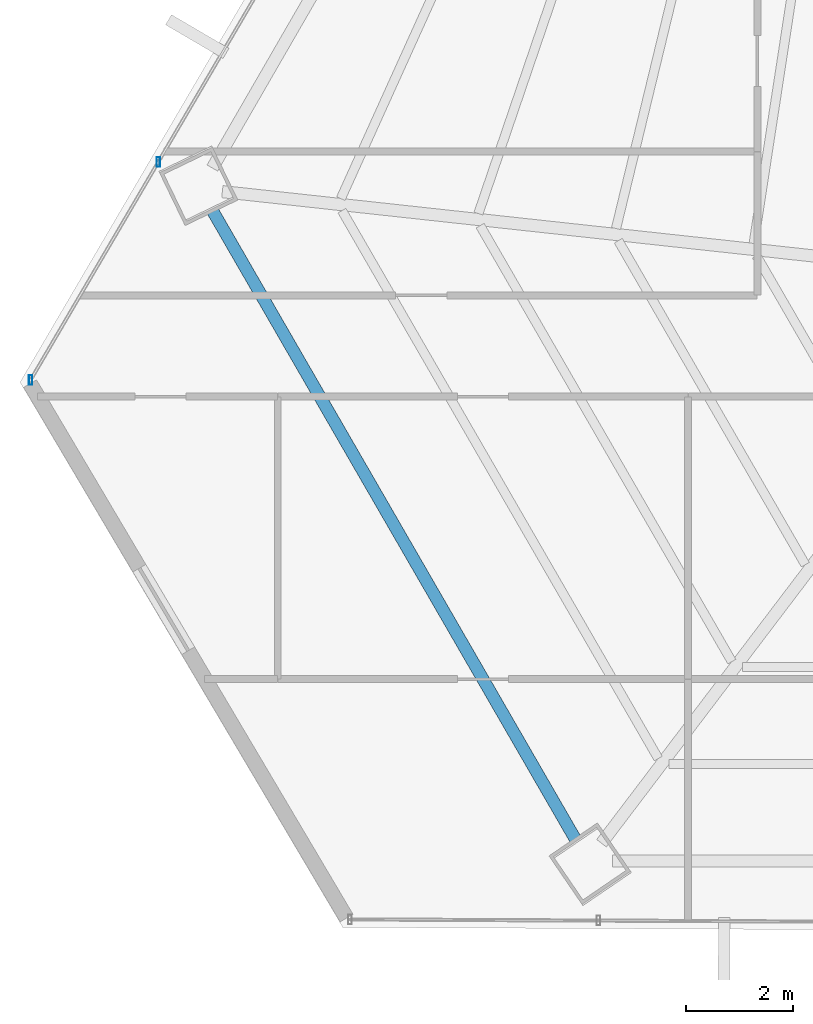
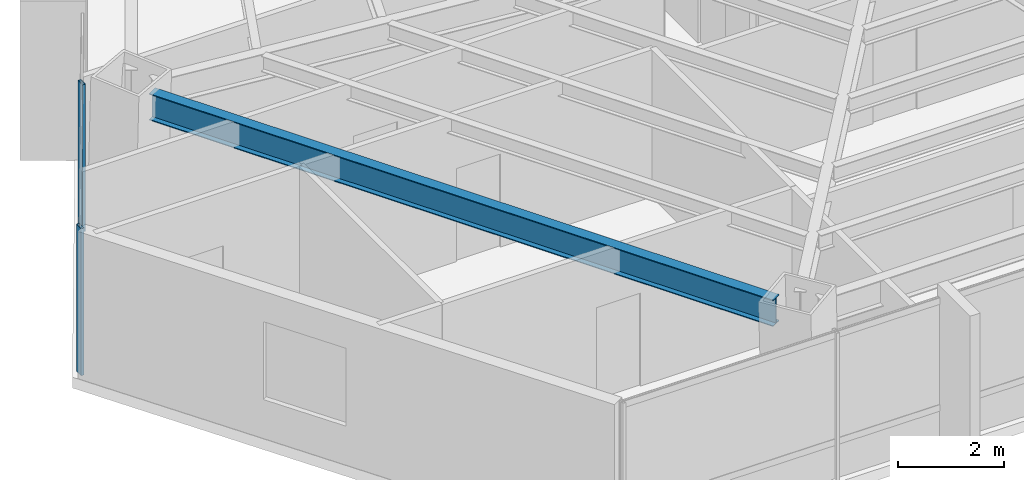
# One storey, part 6 of 35: 2 members, 1 beam, 1 element without a shape of its own.
"""IFC4 building model written with IfcOpenShell, lengths in metres."""

from ifc_helpers import new_model, si_unit, direction, frame, origin, origin_2d, place, context, subcontext, project, spatial, hollow_rectangle, i_section, extrude, source, transform, mapped, material, material_profile, profile_set, type_object, type_shapes, element, aggregate, save


model = new_model("IFC4")

# Units and contexts
model_context = context("Model", 3, precision=1e-05, world=origin(), true_north=direction((0.0, 1.0)))
body_context = subcontext(model_context, "Body", "Model", "MODEL_VIEW")
ifc_project = project(units=[si_unit("LENGTHUNIT", "METRE"), si_unit("AREAUNIT", "SQUARE_METRE"), si_unit("VOLUMEUNIT", "CUBIC_METRE"), si_unit("PLANEANGLEUNIT", "RADIAN"), si_unit("MASSUNIT", "GRAM", prefix="KILO")], contexts=[model_context])

# Site, building, storey
site_placement = place(None, origin())
site = spatial("IfcSite", under=ifc_project, at=site_placement, CompositionType="ELEMENT")
building_placement = place(site_placement, origin())
building = spatial("IfcBuilding", under=site, at=building_placement, Name="Caelisora Broadcast Tower", CompositionType="ELEMENT")
storey_placement = place(building_placement, frame((0.0, 0.0, 109.050048828125)))
storey = spatial("IfcBuildingStorey", under=building, at=storey_placement, Name="L28", CompositionType="ELEMENT", Elevation=109.050048828125)

# Beam
ifc_material_1 = material(Name="Steel Grade 350 (AS/NZS 3679.1)", Category="steel")
ifc_material_profile_1 = material_profile(ifc_material_1, i_section(OverallWidth=0.22900390625, OverallDepth=0.611572265625, WebThickness=0.011962890625, FlangeThickness=0.01953125, at=origin_2d()), Name="Steel Grade 350 (AS/NZS 3679.1)")
ifc_profile_set_1 = profile_set([ifc_material_profile_1], Name="Steel Grade 350 (AS/NZS 3679.1)")
beam_type = type_object("IfcBeamType", Name="PG03", PredefinedType="BEAM", material=ifc_profile_set_1)
shared_shape_1 = source(origin(), body_context, "Body", "SweptSolid", [
    extrude(i_section(OverallWidth=0.22900390625, OverallDepth=0.611572265625, WebThickness=0.011962890625, FlangeThickness=0.01953125, at=origin_2d()), origin(), (0.0, 0.0, 1.0), 13.63720703125),
])
type_shapes(beam_type, [shared_shape_1])
beam_placement = place(storey_placement, frame((15.1728515625, 18.694091796875, 3.09423828125), z_axis=(0.500003465211, -0.866023403134, 0.0), x_axis=(0.866023403134, 0.500003465211, 0.0)))
element("IfcBeam", 1, at=beam_placement, inside=storey, type_object=beam_type, Name="L28 beam PG03", PredefinedType="BEAM", context=body_context, shape_type="MappedRepresentation", body=[
    mapped(shared_shape_1, transform((0.0, 0.0, 0.0), scale=1.0)),
])

# Curtain wall, members
ifc_material_2 = material(Name="Unitised Aluminium and Low-E Glass Curtain Wall", Category="glass")
curtain_wall_type = type_object("IfcCurtainWallType", Name="CW-Z2", PredefinedType="NOTDEFINED", material=ifc_material_2)
curtain_wall_placement = place(storey_placement, origin())
curtain_wall = element("IfcCurtainWall", 2, at=curtain_wall_placement, inside=storey, type_object=curtain_wall_type, Name="L28 curtain wall CW-Z2", PredefinedType="NOTDEFINED")
ifc_material_3 = material(Name="Aluminium 6063-T6 Anodised Terracotta Bronze", Category="aluminium")
ifc_material_profile_2 = material_profile(ifc_material_3, hollow_rectangle(XDim=0.06494140625, YDim=0.179931640625, WallThickness=0.00341796875, at=origin_2d()), Name="Aluminium 6063-T6 Anodised Terracotta Bronze")
ifc_profile_set_2 = profile_set([ifc_material_profile_2], Name="Aluminium 6063-T6 Anodised Terracotta Bronze")
member_type = type_object("IfcMemberType", Name="CWM-02", PredefinedType="MULLION", material=ifc_profile_set_2)
shared_shape_2 = source(origin(), body_context, "Body", "SweptSolid", [
    extrude(hollow_rectangle(XDim=0.06494140625, YDim=0.179931640625, WallThickness=0.00341796875, at=origin_2d()), origin(), (0.0, 0.0, 1.0), 3.39990234375),
])
type_shapes(member_type, [shared_shape_2])
member_1_placement = place(storey_placement, frame((11.76220703125, 15.51318359375, 0.0), z_axis=(0.0, 0.0, 1.0), x_axis=(1.0, 0.0, 0.0)))
member_1 = element("IfcMember", 3, at=member_1_placement, type_object=member_type, Name="L28-CW-B09 mullion #0", PredefinedType="MULLION", context=body_context, shape_type="MappedRepresentation", body=[
    mapped(shared_shape_2, transform((0.0, 0.0, 0.0), scale=1.0)),
])
member_2_placement = place(storey_placement, frame((14.159423828125, 19.6044921875, 0.0), z_axis=(0.0, 0.0, 1.0), x_axis=(1.0, 0.0, 0.0)))
member_2 = element("IfcMember", 4, at=member_2_placement, type_object=member_type, Name="L28-CW-B09 mullion #1", PredefinedType="MULLION", context=body_context, shape_type="MappedRepresentation", body=[
    mapped(shared_shape_2, transform((0.0, 0.0, 0.0), scale=1.0)),
])
aggregate(curtain_wall, [member_1, member_2])

save(model, "model.ifc")
